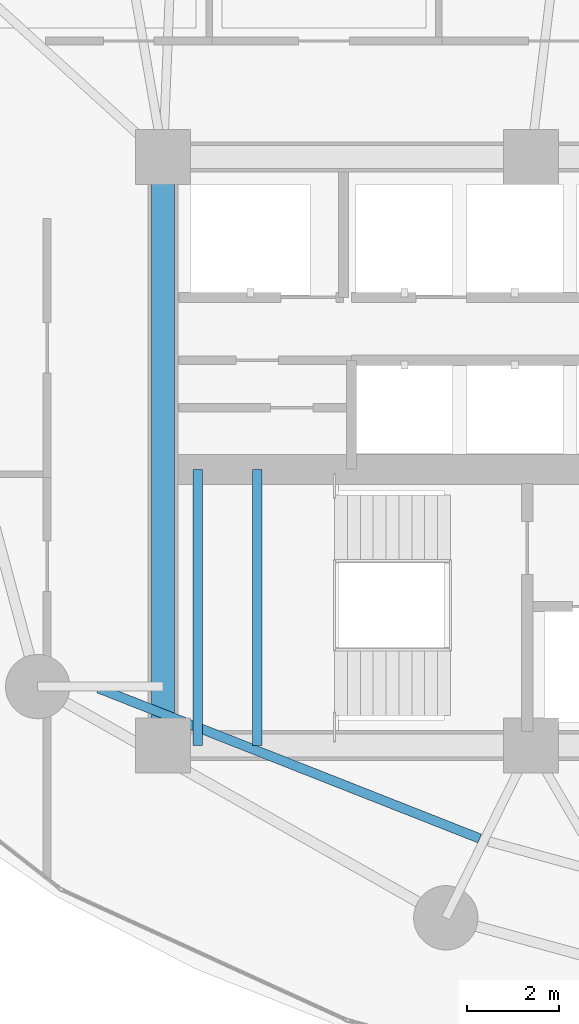
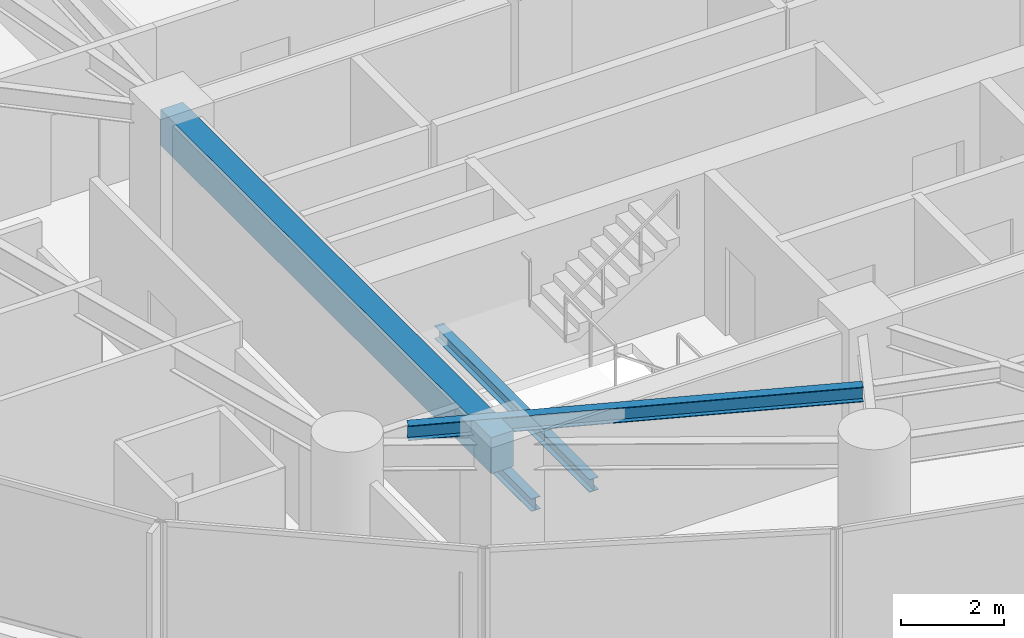
# One storey, part 4 of 34: 4 beams.
"""IFC4 building model written with IfcOpenShell, lengths in metres."""

from ifc_helpers import new_model, si_unit, direction, frame, origin, origin_2d, place, context, subcontext, project, spatial, rectangle, i_section, extrude, material, material_profile, profile_set, type_object, element, save


model = new_model("IFC4")

# Units and contexts
model_context = context("Model", 3, precision=1e-05, world=origin(), true_north=direction((0.0, 1.0)))
body_context = subcontext(model_context, "Body", "Model", "MODEL_VIEW")
ifc_project = project(units=[si_unit("LENGTHUNIT", "METRE"), si_unit("AREAUNIT", "SQUARE_METRE"), si_unit("VOLUMEUNIT", "CUBIC_METRE"), si_unit("PLANEANGLEUNIT", "RADIAN"), si_unit("MASSUNIT", "GRAM", prefix="KILO")], contexts=[model_context])

# Site, building, storey
site_placement = place(None, origin())
site = spatial("IfcSite", under=ifc_project, at=site_placement, CompositionType="ELEMENT")
building_placement = place(site_placement, origin())
building = spatial("IfcBuilding", under=site, at=building_placement, Name="Kazevale Care Tower and Concert Hall", CompositionType="ELEMENT")
storey_placement = place(building_placement, frame((0.0, 0.0, 67.199951171875)))
storey = spatial("IfcBuildingStorey", under=building, at=storey_placement, Name="L17", CompositionType="ELEMENT", Elevation=67.199951171875)

# Beams
ifc_material_1 = material(Name="Concrete C60", Category="concrete")
ifc_material_profile_1 = material_profile(ifc_material_1, rectangle(XDim=0.5, YDim=0.85009765625, at=origin_2d()), Name="RC-B500x850")
ifc_profile_set_1 = profile_set([ifc_material_profile_1], Name="Concrete C60")
beam_type_1 = type_object("IfcBeamType", Name="Core Coupling Beam RC500x850", PredefinedType="LINTEL", material=ifc_profile_set_1)
beam_1_placement = place(storey_placement, frame((22.0, 36.39990234375, 2.93505859375), z_axis=(0.0, -1.0, 0.0), x_axis=(1.0, 0.0, 0.0)))
element("IfcBeam", 1, at=beam_1_placement, inside=storey, type_object=beam_type_1, Name="beam:L17:coretie:8", PredefinedType="LINTEL", context=body_context, shape_type="SweptSolid", body=[
    extrude(rectangle(XDim=0.5, YDim=0.85009765625, at=origin_2d()), origin(), (0.0, 0.0, 1.0), 12.7998046875),
])
ifc_material_2 = material(Name="Steel ASTM A572 Gr 50", Category="steel")
ifc_material_profile_2 = material_profile(ifc_material_2, i_section(OverallWidth=0.205078125, OverallDepth=0.35400390625, WebThickness=0.009521484375, FlangeThickness=0.016845703125, at=origin_2d()), Name="W360x79")
ifc_profile_set_2 = profile_set([ifc_material_profile_2], Name="Steel ASTM A572 Gr 50")
beam_type_2 = type_object("IfcBeamType", Name="Secondary Floor Joist W360x79", PredefinedType="JOIST", material=ifc_profile_set_2)
beam_2_placement = place(storey_placement, frame((20.595947265625, 24.842041015625, 3.18310546875), z_axis=(0.930380638802, -0.366594963062, 0.0), x_axis=(0.366594963062, 0.930380638802, 0.0)))
element("IfcBeam", 2, at=beam_2_placement, inside=storey, type_object=beam_type_2, Name="beam:L17:joist:10", PredefinedType="JOIST", context=body_context, shape_type="SweptSolid", body=[
    extrude(i_section(OverallWidth=0.205078125, OverallDepth=0.35400390625, WebThickness=0.009521484375, FlangeThickness=0.016845703125, at=origin_2d()), origin(), (0.0, 0.0, 1.0), 8.909423828125),
])
ifc_material_profile_3 = material_profile(ifc_material_2, i_section(OverallWidth=0.202880859375, OverallDepth=0.302978515625, WebThickness=0.007568359375, FlangeThickness=0.01318359375, at=origin_2d()), Name="W310x60")
ifc_profile_set_3 = profile_set([ifc_material_profile_3], Name="Steel ASTM A572 Gr 50")
beam_type_3 = type_object("IfcBeamType", Name="Stair & Balcony Trimmer W310x60", PredefinedType="BEAM", material=ifc_profile_set_3)
for number, where, z_axis, x_axis, name in (
    (3, (22.75, 23.60009765625, 1.448486328125), (0.0, 1.0, 0.0), (-1.0, 0.0, 0.0), "beam:L17:sttrim:ST1"),
    (4, (24.050048828125, 23.60009765625, 1.448486328125), (0.0, 1.0, 0.0), (-1.0, 0.0, 0.0), "beam:L17:sttrim:ST1b"),
):
    element("IfcBeam", number, at=place(storey_placement, frame(where, z_axis=z_axis, x_axis=x_axis)), inside=storey, type_object=beam_type_3, Name=name, PredefinedType="BEAM", context=body_context, shape_type="SweptSolid", body=[
        extrude(i_section(OverallWidth=0.202880859375, OverallDepth=0.302978515625, WebThickness=0.007568359375, FlangeThickness=0.01318359375, at=origin_2d()), origin(), (0.0, 0.0, 1.0), 6.0),
    ])

save(model, "model.ifc")
